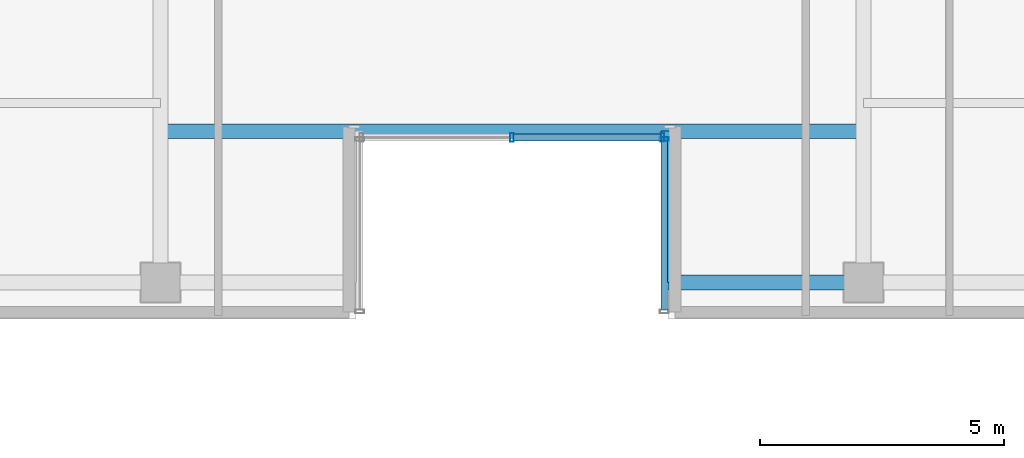
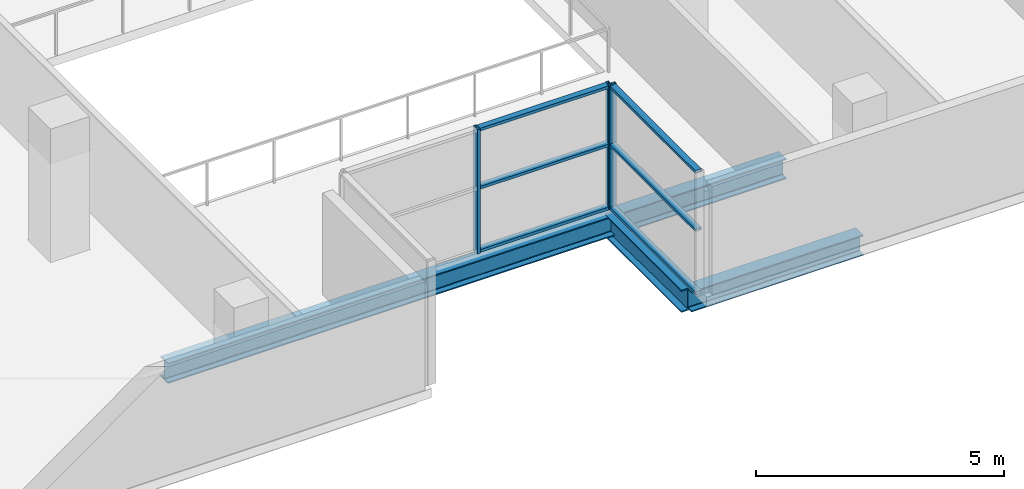
# One storey, part 7 of 24: 9 members, 3 beams, 2 elements without a shape of their own.
"""IFC4 building model written with IfcOpenShell, lengths in metres."""

from ifc_helpers import new_model, si_unit, direction, frame, origin, origin_2d, place, context, subcontext, project, spatial, hollow_rectangle, i_section, extrude, source, transform, mapped, material, layer, layer_set, material_profile, profile_set, type_object, element, aggregate, save


model = new_model("IFC4")

# Units and contexts
model_context = context("Model", 3, precision=1e-05, world=origin(), true_north=direction((0.0, 1.0)))
body_context = subcontext(model_context, "Body", "Model", "MODEL_VIEW")
ifc_project = project(units=[si_unit("LENGTHUNIT", "METRE"), si_unit("AREAUNIT", "SQUARE_METRE"), si_unit("VOLUMEUNIT", "CUBIC_METRE"), si_unit("PLANEANGLEUNIT", "RADIAN"), si_unit("MASSUNIT", "GRAM", prefix="KILO")], contexts=[model_context])

# Site, building, storey
site_placement = place(None, origin())
site = spatial("IfcSite", under=ifc_project, at=site_placement, CompositionType="ELEMENT")
building_placement = place(site_placement, origin())
building = spatial("IfcBuilding", under=site, at=building_placement, Name="Zarnakvel Exchange Tower", CompositionType="ELEMENT")
storey_placement = place(building_placement, frame((0.0, 0.0, 133.0)))
storey = spatial("IfcBuildingStorey", under=building, at=storey_placement, Name="L37", CompositionType="ELEMENT", Elevation=133.0)

# Beams
ifc_material_1 = material(Name="Steel S355", Category="steel")
ifc_material_profile_1 = material_profile(ifc_material_1, i_section(OverallWidth=0.300048828125, OverallDepth=0.550048828125, WebThickness=0.014892578125, FlangeThickness=0.029052734375, FilletRadius=0.027099609375, at=origin_2d()))
ifc_profile_set_1 = profile_set([ifc_material_profile_1], Name="Steel S355")
beam_type_1 = type_object("IfcBeamType", Name="G-05", PredefinedType="BEAM", material=ifc_profile_set_1)
beam_1_placement = place(storey_placement, frame((3.199951171875, -16.949951171875, -0.5), z_axis=(0.0, 1.0, 0.0), x_axis=(-1.0, 0.0, 0.0)))
element("IfcBeam", 1, at=beam_1_placement, inside=storey, type_object=beam_type_1, Name="L37 South Slot East Cheek Beam", PredefinedType="BEAM", context=body_context, shape_type="SweptSolid", body=[
    extrude(i_section(OverallWidth=0.300048828125, OverallDepth=0.550048828125, WebThickness=0.014892578125, FlangeThickness=0.029052734375, FilletRadius=0.027099609375, at=origin_2d()), origin(), (0.0, 0.0, 1.0), 3.099853515625),
])
ifc_material_profile_2 = material_profile(ifc_material_1, i_section(OverallWidth=0.300048828125, OverallDepth=0.5, WebThickness=0.014404296875, FlangeThickness=0.028076171875, FilletRadius=0.027099609375, at=origin_2d()))
ifc_profile_set_2 = profile_set([ifc_material_profile_2], Name="Steel S355")
beam_type_2 = type_object("IfcBeamType", Name="SP-02", PredefinedType="SPANDREL", material=ifc_profile_set_2)
beam_2_placement = place(storey_placement, frame((3.199951171875, -16.949951171875, -0.47509765625), z_axis=(1.0, 0.0, 0.0), x_axis=(0.0, 1.0, 0.0)))
element("IfcBeam", 2, at=beam_2_placement, inside=storey, type_object=beam_type_2, Name="L37 South Slot East Jamb Spandrel", PredefinedType="SPANDREL", context=body_context, shape_type="SweptSolid", body=[
    extrude(i_section(OverallWidth=0.300048828125, OverallDepth=0.5, WebThickness=0.014404296875, FlangeThickness=0.028076171875, FilletRadius=0.027099609375, at=origin_2d()), origin(), (0.0, 0.0, 1.0), 4.0),
])
beam_3_placement = place(storey_placement, frame((-7.199951171875, -13.85009765625, -0.47509765625), z_axis=(1.0, 0.0, 0.0), x_axis=(0.0, 1.0, 0.0)))
element("IfcBeam", 3, at=beam_3_placement, inside=storey, type_object=beam_type_2, Name="L37 South Slot Head Trimmer Girder", PredefinedType="SPANDREL", context=body_context, shape_type="SweptSolid", body=[
    extrude(i_section(OverallWidth=0.300048828125, OverallDepth=0.5, WebThickness=0.014404296875, FlangeThickness=0.028076171875, FilletRadius=0.027099609375, at=origin_2d()), origin(), (0.0, 0.0, 1.0), 14.39990234375),
])

# Curtain wall, members
ifc_material_2 = material(Name="Architectural Bronze Anodised Aluminium", Category="aluminium")
ifc_layer = layer(ifc_material_2, 0.179931640625)
ifc_layer_set = layer_set([ifc_layer], Name="Architectural Bronze Anodised Aluminium")
curtain_wall_type = type_object("IfcCurtainWallType", Name="CW-05", PredefinedType="NOTDEFINED", material=ifc_layer_set)
curtain_wall_1_placement = place(storey_placement, origin())
curtain_wall_1 = element("IfcCurtainWall", 4, at=curtain_wall_1_placement, inside=storey, type_object=curtain_wall_type, Name="L37 Curtain Wall CW-L37-SLE (CW-05)", PredefinedType="NOTDEFINED")
ifc_material_profile_3 = material_profile(ifc_material_2, hollow_rectangle(XDim=0.139892578125, YDim=0.070068359375, WallThickness=0.00390625, at=origin_2d()))
ifc_profile_set_3 = profile_set([ifc_material_profile_3], Name="Architectural Bronze Anodised Aluminium")
member_type_1 = type_object("IfcMemberType", Name="CWT-05", PredefinedType="USERDEFINED", material=ifc_profile_set_3)
shared_shape_1 = source(origin(), body_context, "Body", "SweptSolid", [
    extrude(hollow_rectangle(XDim=0.139892578125, YDim=0.070068359375, WallThickness=0.00390625, at=origin_2d()), origin(), (0.0, 0.0, 1.0), 3.4599609375),
])
member_1_placement = place(storey_placement, frame((3.1201171875, -14.050048828125, 0.034912109375), z_axis=(0.0, -1.0, 0.0), x_axis=(1.0, 0.0, 0.0)))
member_1 = element("IfcMember", 5, at=member_1_placement, type_object=member_type_1, Name="CW-05 transom 1.1", ObjectType="TRANSOM", PredefinedType="USERDEFINED", context=body_context, shape_type="MappedRepresentation", body=[
    mapped(shared_shape_1, transform((0.0, 0.0, 0.0), x_axis=(1.0, 0.0, 0.0), y_axis=(0.0, 1.0, 0.0), z_axis=(0.0, 0.0, 1.0), scale=1.0)),
])
member_2_placement = place(storey_placement, frame((3.1201171875, -14.050048828125, 1.588623046875), z_axis=(0.0, -1.0, 0.0), x_axis=(1.0, 0.0, 0.0)))
member_2 = element("IfcMember", 6, at=member_2_placement, type_object=member_type_1, Name="CW-05 transom 1.2", ObjectType="TRANSOM", PredefinedType="USERDEFINED", context=body_context, shape_type="MappedRepresentation", body=[
    mapped(shared_shape_1, transform((0.0, 0.0, 0.0), x_axis=(1.0, 0.0, 0.0), y_axis=(0.0, 1.0, 0.0), z_axis=(0.0, 0.0, 1.0), scale=1.0)),
])
member_3_placement = place(storey_placement, frame((3.1201171875, -14.050048828125, 3.02001953125), z_axis=(0.0, -1.0, 0.0), x_axis=(1.0, 0.0, 0.0)))
member_3 = element("IfcMember", 7, at=member_3_placement, type_object=member_type_1, Name="CW-05 transom 1.3", ObjectType="TRANSOM", PredefinedType="USERDEFINED", context=body_context, shape_type="MappedRepresentation", body=[
    mapped(shared_shape_1, transform((0.0, 0.0, 0.0), x_axis=(1.0, 0.0, 0.0), y_axis=(0.0, 1.0, 0.0), z_axis=(0.0, 0.0, 1.0), scale=1.0)),
])

curtain_wall_2_placement = place(storey_placement, origin())
curtain_wall_2 = element("IfcCurtainWall", 8, at=curtain_wall_2_placement, inside=storey, type_object=curtain_wall_type, Name="L37 Curtain Wall CW-L37-SLB (CW-05)", PredefinedType="NOTDEFINED")
shared_shape_2 = source(origin(), body_context, "Body", "SweptSolid", [
    extrude(hollow_rectangle(XDim=0.139892578125, YDim=0.070068359375, WallThickness=0.00390625, at=origin_2d()), origin(), (0.0, 0.0, 1.0), 3.01513671875),
])
member_4_placement = place(storey_placement, frame((0.034912109375, -13.97998046875, 0.034912109375), z_axis=(1.0, 0.0, 0.0), x_axis=(0.0, 1.0, 0.0)))
member_4 = element("IfcMember", 9, at=member_4_placement, type_object=member_type_1, Name="CW-05 transom 2.1", ObjectType="TRANSOM", PredefinedType="USERDEFINED", context=body_context, shape_type="MappedRepresentation", body=[
    mapped(shared_shape_2, transform((0.0, 0.0, 0.0), x_axis=(1.0, 0.0, 0.0), y_axis=(0.0, 1.0, 0.0), z_axis=(0.0, 0.0, 1.0), scale=1.0)),
])
member_5_placement = place(storey_placement, frame((0.034912109375, -13.97998046875, 1.588623046875), z_axis=(1.0, 0.0, 0.0), x_axis=(0.0, 1.0, 0.0)))
member_5 = element("IfcMember", 10, at=member_5_placement, type_object=member_type_1, Name="CW-05 transom 2.2", ObjectType="TRANSOM", PredefinedType="USERDEFINED", context=body_context, shape_type="MappedRepresentation", body=[
    mapped(shared_shape_2, transform((0.0, 0.0, 0.0), x_axis=(1.0, 0.0, 0.0), y_axis=(0.0, 1.0, 0.0), z_axis=(0.0, 0.0, 1.0), scale=1.0)),
])
member_6_placement = place(storey_placement, frame((0.034912109375, -13.97998046875, 3.02001953125), z_axis=(1.0, 0.0, 0.0), x_axis=(0.0, 1.0, 0.0)))
member_6 = element("IfcMember", 11, at=member_6_placement, type_object=member_type_1, Name="CW-05 transom 2.3", ObjectType="TRANSOM", PredefinedType="USERDEFINED", context=body_context, shape_type="MappedRepresentation", body=[
    mapped(shared_shape_2, transform((0.0, 0.0, 0.0), x_axis=(1.0, 0.0, 0.0), y_axis=(0.0, 1.0, 0.0), z_axis=(0.0, 0.0, 1.0), scale=1.0)),
])
ifc_material_profile_4 = material_profile(ifc_material_2, hollow_rectangle(XDim=0.179931640625, YDim=0.070068359375, WallThickness=0.00390625, at=origin_2d()))
ifc_profile_set_4 = profile_set([ifc_material_profile_4], Name="Architectural Bronze Anodised Aluminium")
member_type_2 = type_object("IfcMemberType", Name="CWM-05", PredefinedType="MULLION", material=ifc_profile_set_4)
shared_shape_3 = source(origin(), body_context, "Body", "SweptSolid", [
    extrude(hollow_rectangle(XDim=0.179931640625, YDim=0.070068359375, WallThickness=0.00390625, at=origin_2d()), origin(), (0.0, 0.0, 1.0), 3.054931640625),
])
member_7_placement = place(storey_placement, frame((0.0, -13.97998046875, 0.0), z_axis=(0.0, 0.0, 1.0), x_axis=(0.0, 1.0, 0.0)))
member_7 = element("IfcMember", 12, at=member_7_placement, type_object=member_type_2, Name="CW-05 mullion 2", PredefinedType="MULLION", context=body_context, shape_type="MappedRepresentation", body=[
    mapped(shared_shape_3, transform((0.0, 0.0, 0.0), x_axis=(1.0, 0.0, 0.0), y_axis=(0.0, 1.0, 0.0), z_axis=(0.0, 0.0, 1.0), scale=1.0)),
])
member_8_placement = place(storey_placement, frame((3.0849609375, -13.97998046875, 0.0), z_axis=(0.0, 0.0, 1.0), x_axis=(0.0, 1.0, 0.0)))
member_8 = element("IfcMember", 13, at=member_8_placement, type_object=member_type_2, Name="CW-05 mullion 3", PredefinedType="MULLION", context=body_context, shape_type="MappedRepresentation", body=[
    mapped(shared_shape_3, transform((0.0, 0.0, 0.0), x_axis=(1.0, 0.0, 0.0), y_axis=(0.0, 1.0, 0.0), z_axis=(0.0, 0.0, 1.0), scale=1.0)),
])
aggregate(curtain_wall_2, [member_7, member_8, member_4, member_5, member_6])

# Member
member_9_placement = place(storey_placement, frame((3.1201171875, -14.014892578125, 0.0), z_axis=(0.0, 0.0, 1.0), x_axis=(1.0, 0.0, 0.0)))
member_9 = element("IfcMember", 14, at=member_9_placement, type_object=member_type_2, Name="CW-05 mullion 1", PredefinedType="MULLION", context=body_context, shape_type="MappedRepresentation", body=[
    mapped(shared_shape_3, transform((0.0, 0.0, 0.0), x_axis=(1.0, 0.0, 0.0), y_axis=(0.0, 1.0, 0.0), z_axis=(0.0, 0.0, 1.0), scale=1.0)),
])

aggregate(curtain_wall_1, [member_9, member_1, member_2, member_3])

save(model, "model.ifc")
